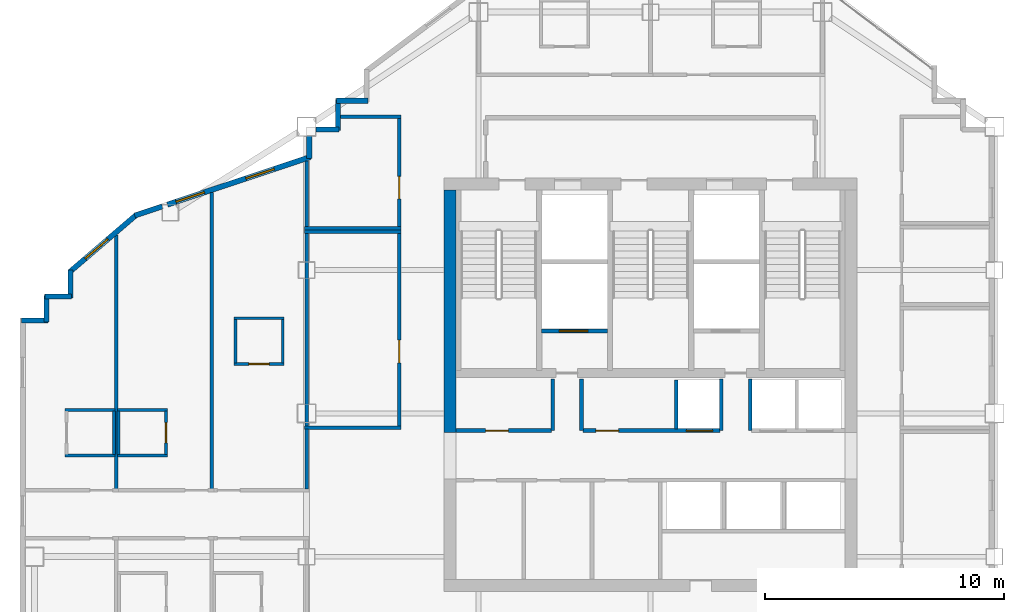
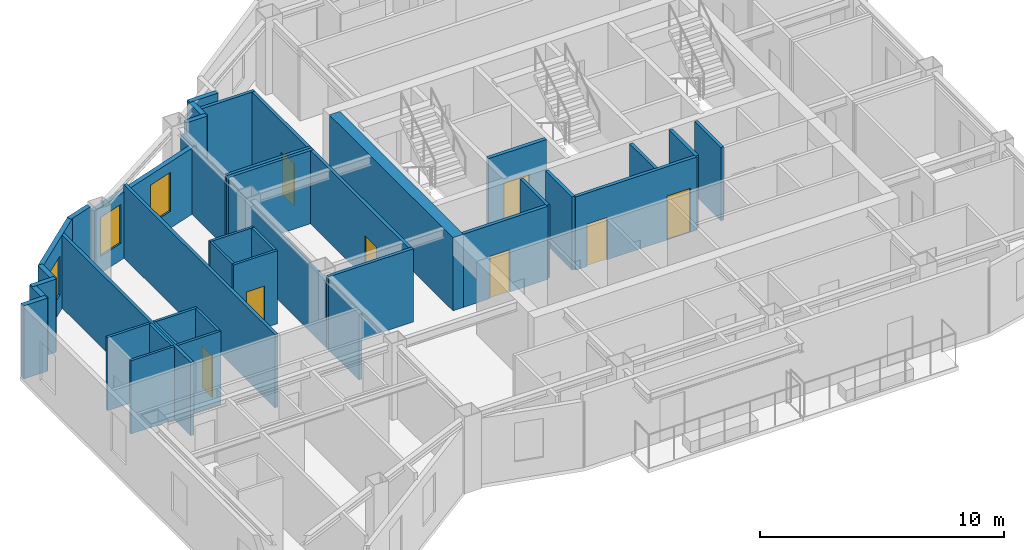
# One storey, part 6 of 11: 42 walls, 8 doors, 3 windows, 11 openings.
"""IFC4 building model written with IfcOpenShell, lengths in metres."""

from ifc_helpers import new_model, si_unit, direction, frame, frame_2d, origin, place, context, subcontext, project, spatial, rectangle, extrude, material, layer, layer_set, type_object, element, fill, save


model = new_model("IFC4")

# Units and contexts
model_context = context("Model", 3, precision=1e-05, world=origin(), true_north=direction((0.0, 1.0)))
body_context = subcontext(model_context, "Body", "Model", "MODEL_VIEW")
ifc_project = project(units=[si_unit("LENGTHUNIT", "METRE"), si_unit("AREAUNIT", "SQUARE_METRE"), si_unit("VOLUMEUNIT", "CUBIC_METRE"), si_unit("PLANEANGLEUNIT", "RADIAN"), si_unit("MASSUNIT", "GRAM", prefix="KILO")], contexts=[model_context])

# Site, building, storey
site_placement = place(None, origin())
site = spatial("IfcSite", under=ifc_project, at=site_placement, CompositionType="ELEMENT")
building_placement = place(site_placement, origin())
building = spatial("IfcBuilding", under=site, at=building_placement, Name="Haolan Belvedere Tower", CompositionType="ELEMENT")
storey_placement = place(building_placement, frame((0.0, 0.0, 250.60009765625)))
storey = spatial("IfcBuildingStorey", under=building, at=storey_placement, Name="L63", CompositionType="ELEMENT", Elevation=250.60009765625)

# Walls
ifc_material_1 = material(Name="Concrete C50/60", Category="concrete")
ifc_layer_1 = layer(ifc_material_1, 0.5, Name="Concrete C50/60")
ifc_layer_set_1 = layer_set([ifc_layer_1], Name="Concrete C50/60")
wall_type_1 = type_object("IfcWallType", Name="WL-CORE-500", PredefinedType="SHEAR", material=ifc_layer_set_1)
wall_1_placement = place(storey_placement, frame((30.0, 32.800048828125, 0.0), z_axis=(0.0, 0.0, 1.0), x_axis=(0.0, 1.0, 0.0)))
element("IfcWall", 1, at=wall_1_placement, inside=storey, type_object=wall_type_1, Name="L63 central core shear wall WN", PredefinedType="SHEAR", context=body_context, shape_type="SweptSolid", body=[
    extrude(rectangle(XDim=10.14990234375, YDim=0.5, at=frame_2d((5.074951171875, 0.0))), origin(), (0.0, 0.0, 1.0), 3.669921875),
])
ifc_material_2 = material(Name="Precast concrete C40/50", Category="concrete")
ifc_layer_2 = layer(ifc_material_2, 0.219970703125, Name="Precast concrete C40/50")
ifc_layer_set_2 = layer_set([ifc_layer_2], Name="Precast concrete C40/50")
wall_type_2 = type_object("IfcWallType", Name="WL-EXT-220", PredefinedType="SOLIDWALL", material=ifc_layer_set_2)
for number, where, z_axis, x_axis, name in (
    (2, (26.56494140625, 46.68994140625, 0.0), (0.0, 0.0, 1.0), (-1.0, 0.0, 0.0), "L63 pale-metal exterior spandrel wall 13.1"),
    (3, (25.31005859375, 46.7451171875, 0.0), (0.0, 0.0, 1.0), (0.0, -1.0, 0.0), "L63 pale-metal exterior spandrel wall 14.1"),
):
    element("IfcWall", number, at=place(storey_placement, frame(where, z_axis=z_axis, x_axis=x_axis)), inside=storey, type_object=wall_type_2, Name=name, PredefinedType="SOLIDWALL", context=body_context, shape_type="SweptSolid", body=[
        extrude(rectangle(XDim=1.31005859375, YDim=0.219970703125, at=frame_2d((0.655029296875, 0.0))), origin(), (0.0, 0.0, 1.0), 3.669921875),
    ])
wall_2_placement = place(storey_placement, frame((25.364990234375, 45.489990234375, 0.0), z_axis=(0.0, 0.0, 1.0), x_axis=(-1.0, 0.0, 0.0)))
element("IfcWall", 4, at=wall_2_placement, inside=storey, type_object=wall_type_2, Name="L63 pale-metal exterior spandrel wall 15.1", PredefinedType="SOLIDWALL", context=body_context, shape_type="SweptSolid", body=[
    extrude(rectangle(XDim=0.972900390625, YDim=0.219970703125, at=frame_2d((0.486328125, 0.0))), origin(), (0.0, 0.0, 1.0), 3.669921875),
])
wall_3_placement = place(storey_placement, frame((24.110107421875, 45.2080078125, 0.0), z_axis=(0.0, 0.0, 1.0), x_axis=(0.0, -1.0, 0.0)))
element("IfcWall", 5, at=wall_3_placement, inside=storey, type_object=wall_type_2, Name="L63 pale-metal exterior spandrel wall 16.1", PredefinedType="SOLIDWALL", context=body_context, shape_type="SweptSolid", body=[
    extrude(rectangle(XDim=0.9423828125, YDim=0.219970703125, at=frame_2d((0.47119140625, 0.0))), origin(), (0.0, 0.0, 1.0), 3.31494140625),
])

# Wall, openings, windows
wall_4_placement = place(storey_placement, frame((24.162109375, 44.338134765625, 0.0), z_axis=(0.0, 0.0, 1.0), x_axis=(-0.948687165594, -0.31621616315, 0.0)))
wall_4 = element("IfcWall", 6, at=wall_4_placement, inside=storey, type_object=wall_type_2, Name="L63 pale-metal exterior spandrel wall 17.1", PredefinedType="SOLIDWALL", context=body_context, shape_type="SweptSolid", body=[
    extrude(rectangle(XDim=6.3125, YDim=0.219970703125, at=frame_2d((3.15625, 0.0))), origin(), (0.0, 0.0, 1.0), 3.31494140625),
])
opening_1_placement = place(wall_4_placement, frame((1.60009765625, 0.0, 0.85009765625)))
opening_1 = element("IfcOpeningElement", 7, at=opening_1_placement, cuts=wall_4, Name="Opening W-04", PredefinedType="OPENING", context=body_context, shape_type="SweptSolid", body=[
    extrude(rectangle(XDim=1.25, YDim=1.949951171875, at=frame_2d((0.625, 0.97509765625))), frame((0.0, 0.119873046875, 0.0), z_axis=(0.0, -1.0, 0.0), x_axis=(1.0, 0.0, 0.0)), (0.0, 0.0, 1.0), 0.239990234375),
])
opening_2_placement = place(wall_4_placement, frame((4.68212890625, 0.0, 0.85009765625)))
opening_2 = element("IfcOpeningElement", 8, at=opening_2_placement, cuts=wall_4, Name="Opening W-04", PredefinedType="OPENING", context=body_context, shape_type="SweptSolid", body=[
    extrude(rectangle(XDim=1.25, YDim=1.949951171875, at=frame_2d((0.625, 0.97509765625))), frame((0.0, 0.119873046875, 0.0), z_axis=(0.0, -1.0, 0.0), x_axis=(1.0, 0.0, 0.0)), (0.0, 0.0, 1.0), 0.239990234375),
])
ifc_material_3 = material(Name="Anodised aluminium 6063-T6 and Low-E glass", Category="aluminium")
window_type = type_object("IfcWindowType", Name="WN-DECO-Z4", PartitioningType="SINGLE_PANEL", PredefinedType="WINDOW", material=ifc_material_3)
window_1_placement = place(opening_1_placement, origin())
window_1 = element("IfcWindow", 9, at=window_1_placement, inside=storey, type_object=window_type, Name="L63 Art Deco chevron window 1", OverallHeight=1.949951171875, OverallWidth=1.25, PartitioningType="SINGLE_PANEL", PredefinedType="WINDOW", context=body_context, shape_type="SweptSolid", body=[
    extrude(rectangle(XDim=1.25, YDim=1.949951171875, at=frame_2d((0.625, 0.97509765625))), frame((0.0, 0.030029296875, 0.0), z_axis=(0.0, -1.0, 0.0), x_axis=(1.0, 0.0, 0.0)), (0.0, 0.0, 1.0), 0.06005859375),
])
fill(opening_1, window_1)
window_2_placement = place(opening_2_placement, origin())
window_2 = element("IfcWindow", 10, at=window_2_placement, inside=storey, type_object=window_type, Name="L63 Art Deco guestroom window 1", OverallHeight=1.949951171875, OverallWidth=1.25, PartitioningType="SINGLE_PANEL", PredefinedType="WINDOW", context=body_context, shape_type="SweptSolid", body=[
    extrude(rectangle(XDim=1.25, YDim=1.949951171875, at=frame_2d((0.625, 0.97509765625))), frame((0.0, 0.030029296875, 0.0), z_axis=(0.0, -1.0, 0.0), x_axis=(1.0, 0.0, 0.0)), (0.0, 0.0, 1.0), 0.06005859375),
])
fill(opening_2, window_2)

# Wall
wall_5_placement = place(storey_placement, frame((17.9580078125, 42.27001953125, 0.0), z_axis=(0.0, 0.0, 1.0), x_axis=(-0.948683298051, -0.316227766017, 0.0)))
element("IfcWall", 11, at=wall_5_placement, inside=storey, type_object=wall_type_2, Name="L63 pale-metal exterior spandrel wall 17.2", PredefinedType="SOLIDWALL", context=body_context, shape_type="SweptSolid", body=[
    extrude(rectangle(XDim=1.217529296875, YDim=0.219970703125, at=frame_2d((0.60888671875, 0.0))), origin(), (0.0, 0.0, 1.0), 3.669921875),
])

# Wall, opening, window
wall_6_placement = place(storey_placement, frame((16.89697265625, 41.938232421875, 0.0), z_axis=(0.0, 0.0, 1.0), x_axis=(-0.759279729622, -0.650764390686, 0.0)))
wall_6 = element("IfcWall", 12, at=wall_6_placement, inside=storey, type_object=wall_type_2, Name="L63 pale-metal exterior spandrel wall 18.1", PredefinedType="SOLIDWALL", context=body_context, shape_type="SweptSolid", body=[
    extrude(rectangle(XDim=3.725830078125, YDim=0.219970703125, at=frame_2d((1.86279296875, 0.0))), origin(), (0.0, 0.0, 1.0), 3.669921875),
])
opening_3_placement = place(wall_6_placement, frame((1.60009765625, 0.0, 0.85009765625)))
opening_3 = element("IfcOpeningElement", 13, at=opening_3_placement, cuts=wall_6, Name="Opening W-04", PredefinedType="OPENING", context=body_context, shape_type="SweptSolid", body=[
    extrude(rectangle(XDim=1.25, YDim=1.949951171875, at=frame_2d((0.625, 0.97509765625))), frame((0.0, 0.119873046875, 0.0), z_axis=(0.0, -1.0, 0.0), x_axis=(1.0, 0.0, 0.0)), (0.0, 0.0, 1.0), 0.239990234375),
])
window_3_placement = place(opening_3_placement, origin())
window_3 = element("IfcWindow", 14, at=window_3_placement, inside=storey, type_object=window_type, Name="L63 Art Deco chevron window 1", OverallHeight=1.949951171875, OverallWidth=1.25, PartitioningType="SINGLE_PANEL", PredefinedType="WINDOW", context=body_context, shape_type="SweptSolid", body=[
    extrude(rectangle(XDim=1.25, YDim=1.949951171875, at=frame_2d((0.625, 0.97509765625))), frame((0.0, 0.030029296875, 0.0), z_axis=(0.0, -1.0, 0.0), x_axis=(1.0, 0.0, 0.0)), (0.0, 0.0, 1.0), 0.06005859375),
])
fill(opening_3, window_3)

# Walls
wall_7_placement = place(storey_placement, frame((14.110107421875, 39.6044921875, 0.0), z_axis=(0.0, 0.0, 1.0), x_axis=(0.0, -1.0, 0.0)))
element("IfcWall", 15, at=wall_7_placement, inside=storey, type_object=wall_type_2, Name="L63 pale-metal exterior spandrel wall 19.1", PredefinedType="SOLIDWALL", context=body_context, shape_type="SweptSolid", body=[
    extrude(rectangle(XDim=1.16943359375, YDim=0.219970703125, at=frame_2d((0.584716796875, 0.0))), origin(), (0.0, 0.0, 1.0), 3.669921875),
])
wall_8_placement = place(storey_placement, frame((14.1650390625, 38.489990234375, 0.0), z_axis=(0.0, 0.0, 1.0), x_axis=(-1.0, 0.0, 0.0)))
element("IfcWall", 16, at=wall_8_placement, inside=storey, type_object=wall_type_2, Name="L63 pale-metal exterior spandrel wall 20.1", PredefinedType="SOLIDWALL", context=body_context, shape_type="SweptSolid", body=[
    extrude(rectangle(XDim=1.110107421875, YDim=0.219970703125, at=frame_2d((0.55517578125, 0.0))), origin(), (0.0, 0.0, 1.0), 3.669921875),
])
wall_9_placement = place(storey_placement, frame((13.110107421875, 38.544921875, 0.0), z_axis=(0.0, 0.0, 1.0), x_axis=(0.0, -1.0, 0.0)))
element("IfcWall", 17, at=wall_9_placement, inside=storey, type_object=wall_type_2, Name="L63 pale-metal exterior spandrel wall 21.1", PredefinedType="SOLIDWALL", context=body_context, shape_type="SweptSolid", body=[
    extrude(rectangle(XDim=1.10986328125, YDim=0.219970703125, at=frame_2d((0.554931640625, 0.0))), origin(), (0.0, 0.0, 1.0), 3.669921875),
])
wall_10_placement = place(storey_placement, frame((13.1650390625, 37.489990234375, 0.0), z_axis=(0.0, 0.0, 1.0), x_axis=(-1.0, 0.0, 0.0)))
element("IfcWall", 18, at=wall_10_placement, inside=storey, type_object=wall_type_2, Name="L63 pale-metal exterior spandrel wall 22.1", PredefinedType="SOLIDWALL", context=body_context, shape_type="SweptSolid", body=[
    extrude(rectangle(XDim=1.110107421875, YDim=0.219970703125, at=frame_2d((0.55517578125, 0.0))), origin(), (0.0, 0.0, 1.0), 3.669921875),
])
ifc_material_4 = material(Name="Double gypsum acoustic stud partition", Category="masonry")
ifc_layer_3 = layer(ifc_material_4, 0.14990234375, Name="Double gypsum acoustic stud partition")
ifc_layer_set_3 = layer_set([ifc_layer_3], Name="Double gypsum acoustic stud partition")
wall_type_3 = type_object("IfcWallType", Name="WL-PART-150", PredefinedType="PARTITIONING", material=ifc_layer_set_3)
for number, where, z_axis, x_axis, name in (
    (19, (23.919921875, 41.199951171875, 0.0), (0.0, 0.0, 1.0), (1.0, 0.0, 0.0), "L63 interior partition IW-L63-SAL-N"),
    (20, (23.919921875, 33.0, 0.0), (0.0, 0.0, 1.0), (1.0, 0.0, 0.0), "L63 interior partition IW-L63-SAL-S"),
):
    element("IfcWall", number, at=place(storey_placement, frame(where, z_axis=z_axis, x_axis=x_axis)), inside=storey, type_object=wall_type_3, Name=name, PredefinedType="PARTITIONING", context=body_context, shape_type="SweptSolid", body=[
        extrude(rectangle(XDim=4.0400390625, YDim=0.14990234375, at=frame_2d((2.02001953125, 0.0))), origin(), (0.0, 0.0, 1.0), 3.669921875),
    ])
wall_11_placement = place(storey_placement, frame((24.0, 33.06005859375, 0.0), z_axis=(0.0, 0.0, 1.0), x_axis=(0.0, 1.0, 0.0)))
element("IfcWall", 21, at=wall_11_placement, inside=storey, type_object=wall_type_3, Name="L63 interior partition IW-L63-SAL-W", PredefinedType="PARTITIONING", context=body_context, shape_type="SweptSolid", body=[
    extrude(rectangle(XDim=8.079833984375, YDim=0.14990234375, at=frame_2d((4.0400390625, 0.0))), origin(), (0.0, 0.0, 1.0), 3.31494140625),
])

# Wall, opening, door
wall_12_placement = place(storey_placement, frame((27.8798828125, 33.06005859375, 0.0), z_axis=(0.0, 0.0, 1.0), x_axis=(0.0, 1.0, 0.0)))
wall_12 = element("IfcWall", 22, at=wall_12_placement, inside=storey, type_object=wall_type_3, Name="L63 interior partition IW-L63-SAL-E", PredefinedType="PARTITIONING", context=body_context, shape_type="SweptSolid", body=[
    extrude(rectangle(XDim=8.079833984375, YDim=0.14990234375, at=frame_2d((4.0400390625, 0.0))), origin(), (0.0, 0.0, 1.0), 3.669921875),
])
opening_4_placement = place(wall_12_placement, frame((3.60986328125, 0.0, 0.0), z_axis=(0.0, 0.0, 1.0), x_axis=(-1.0, 0.0, 0.0)))
opening_4 = element("IfcOpeningElement", 23, at=opening_4_placement, cuts=wall_12, Name="Opening ID-03", PredefinedType="OPENING", context=body_context, shape_type="SweptSolid", body=[
    extrude(rectangle(XDim=0.949951171875, YDim=2.1201171875, at=frame_2d((0.47509765625, 1.06005859375))), frame((0.0, 0.0849609375, 0.0), z_axis=(0.0, -1.0, 0.0), x_axis=(1.0, 0.0, 0.0)), (0.0, 0.0, 1.0), 0.169921875),
])
ifc_material_5 = material(Name="Painted solid-core timber", Category="wood")
door_type_1 = type_object("IfcDoorType", Name="DR-INT-950", OperationType="NOTDEFINED", PredefinedType="DOOR", material=ifc_material_5)
door_1_placement = place(opening_4_placement, origin())
door_1 = element("IfcDoor", 24, at=door_1_placement, inside=storey, type_object=door_type_1, Name="L63 door ID-L63-SAL", OperationType="SINGLE_SWING_LEFT", OverallHeight=2.1201171875, OverallWidth=0.949951171875, PredefinedType="DOOR", context=body_context, shape_type="SweptSolid", body=[
    extrude(rectangle(XDim=0.949951171875, YDim=2.1201171875, at=frame_2d((0.47509765625, 1.06005859375))), frame((0.0, 0.02490234375, 0.0), z_axis=(0.0, -1.0, 0.0), x_axis=(1.0, 0.0, 0.0)), (0.0, 0.0, 1.0), 0.050048828125),
])
fill(opening_4, door_1)

# Walls
wall_13_placement = place(storey_placement, frame((25.412109375, 46.02001953125, 0.0), z_axis=(0.0, 0.0, 1.0), x_axis=(1.0, 0.0, 0.0)))
element("IfcWall", 25, at=wall_13_placement, inside=storey, type_object=wall_type_3, Name="L63 interior partition IW-L63-HSK-N", PredefinedType="PARTITIONING", context=body_context, shape_type="SweptSolid", body=[
    extrude(rectangle(XDim=2.5478515625, YDim=0.14990234375, at=frame_2d((1.27392578125, 0.0))), origin(), (0.0, 0.0, 1.0), 3.669921875),
])
wall_14_placement = place(storey_placement, frame((23.919921875, 41.360107421875, 0.0), z_axis=(0.0, 0.0, 1.0), x_axis=(1.0, 0.0, 0.0)))
element("IfcWall", 26, at=wall_14_placement, inside=storey, type_object=wall_type_3, Name="L63 interior partition IW-L63-HSK-S", PredefinedType="PARTITIONING", context=body_context, shape_type="SweptSolid", body=[
    extrude(rectangle(XDim=4.0400390625, YDim=0.14990234375, at=frame_2d((2.02001953125, 0.0))), origin(), (0.0, 0.0, 1.0), 3.669921875),
])
wall_15_placement = place(storey_placement, frame((24.0, 41.419921875, 0.0), z_axis=(0.0, 0.0, 1.0), x_axis=(0.0, 1.0, 0.0)))
element("IfcWall", 27, at=wall_15_placement, inside=storey, type_object=wall_type_3, Name="L63 interior partition IW-L63-HSK-W", PredefinedType="PARTITIONING", context=body_context, shape_type="SweptSolid", body=[
    extrude(rectangle(XDim=2.756591796875, YDim=0.14990234375, at=frame_2d((1.37841796875, 0.0))), origin(), (0.0, 0.0, 1.0), 3.31494140625),
])

# Wall, opening, door
wall_16_placement = place(storey_placement, frame((27.8798828125, 41.419921875, 0.0), z_axis=(0.0, 0.0, 1.0), x_axis=(0.0, 1.0, 0.0)))
wall_16 = element("IfcWall", 28, at=wall_16_placement, inside=storey, type_object=wall_type_3, Name="L63 interior partition IW-L63-HSK-E", PredefinedType="PARTITIONING", context=body_context, shape_type="SweptSolid", body=[
    extrude(rectangle(XDim=4.5400390625, YDim=0.14990234375, at=frame_2d((2.27001953125, 0.0))), origin(), (0.0, 0.0, 1.0), 3.669921875),
])
opening_5_placement = place(wall_16_placement, frame((2.10986328125, 0.0, 0.0), z_axis=(0.0, 0.0, 1.0), x_axis=(-1.0, 0.0, 0.0)))
opening_5 = element("IfcOpeningElement", 29, at=opening_5_placement, cuts=wall_16, Name="Opening ID-03", PredefinedType="OPENING", context=body_context, shape_type="SweptSolid", body=[
    extrude(rectangle(XDim=0.949951171875, YDim=2.1201171875, at=frame_2d((0.47509765625, 1.06005859375))), frame((0.0, 0.0849609375, 0.0), z_axis=(0.0, -1.0, 0.0), x_axis=(1.0, 0.0, 0.0)), (0.0, 0.0, 1.0), 0.169921875),
])
door_2_placement = place(opening_5_placement, origin())
door_2 = element("IfcDoor", 30, at=door_2_placement, inside=storey, type_object=door_type_1, Name="L63 door ID-L63-HSK", OperationType="SINGLE_SWING_RIGHT", OverallHeight=2.1201171875, OverallWidth=0.949951171875, PredefinedType="DOOR", context=body_context, shape_type="SweptSolid", body=[
    extrude(rectangle(XDim=0.949951171875, YDim=2.1201171875, at=frame_2d((0.47509765625, 1.06005859375))), frame((0.0, 0.02490234375, 0.0), z_axis=(0.0, -1.0, 0.0), x_axis=(1.0, 0.0, 0.0)), (0.0, 0.0, 1.0), 0.050048828125),
])
fill(opening_5, door_2)

# Walls
wall_17_placement = place(storey_placement, frame((16.030029296875, 30.43994140625, 0.0), z_axis=(0.0, 0.0, 1.0), x_axis=(0.0, 1.0, 0.0)))
element("IfcWall", 31, at=wall_17_placement, inside=storey, type_object=wall_type_3, Name="L63 interior partition IW-L63-T2N1-E", PredefinedType="PARTITIONING", context=body_context, shape_type="SweptSolid", body=[
    extrude(rectangle(XDim=10.620849609375, YDim=0.14990234375, at=frame_2d((5.310546875, 0.0))), origin(), (0.0, 0.0, 1.0), 3.669921875),
])
wall_18_placement = place(storey_placement, frame((20.02001953125, 30.43994140625, 0.0), z_axis=(0.0, 0.0, 1.0), x_axis=(0.0, 1.0, 0.0)))
element("IfcWall", 32, at=wall_18_placement, inside=storey, type_object=wall_type_3, Name="L63 interior partition IW-L63-T2N2-E", PredefinedType="PARTITIONING", context=body_context, shape_type="SweptSolid", body=[
    extrude(rectangle(XDim=12.409912109375, YDim=0.14990234375, at=frame_2d((6.205078125, 0.0))), origin(), (0.0, 0.0, 1.0), 3.669921875),
])
wall_19_placement = place(storey_placement, frame((24.0, 30.43994140625, 0.0), z_axis=(0.0, 0.0, 1.0), x_axis=(0.0, 1.0, 0.0)))
element("IfcWall", 33, at=wall_19_placement, inside=storey, type_object=wall_type_3, Name="L63 interior partition IW-L63-T2N3-E", PredefinedType="PARTITIONING", context=body_context, shape_type="SweptSolid", body=[
    extrude(rectangle(XDim=2.5, YDim=0.14990234375, at=frame_2d((1.25, 0.0))), origin(), (0.0, 0.0, 1.0), 3.31494140625),
])
ifc_material_6 = material(Name="Gypsum fire shaftwall assembly", Category="masonry")
ifc_layer_4 = layer(ifc_material_6, 0.1650390625, Name="Gypsum fire shaftwall assembly")
ifc_layer_set_4 = layer_set([ifc_layer_4], Name="Gypsum fire shaftwall assembly")
wall_type_4 = type_object("IfcWallType", Name="WL-SHAFT-160", PredefinedType="SOLIDWALL", material=ifc_layer_set_4)
for number, where, z_axis, x_axis, name in (
    (34, (34.31005859375, 32.8798828125, 0.0), (0.0, 0.0, 1.0), (0.0, 1.0, 0.0), "L63 interior partition IW-L63-SVP-W-SV1"),
    (35, (35.510009765625, 32.8798828125, 0.0), (0.0, 0.0, 1.0), (0.0, 1.0, 0.0), "L63 interior partition IW-L63-SVP-E-SV1"),
    (36, (41.3701171875, 32.8798828125, 0.0), (0.0, 0.0, 1.0), (0.0, 1.0, 0.0), "L63 interior partition IW-L63-SVP-W-SV2"),
    (37, (42.570068359375, 32.8798828125, 0.0), (0.0, 0.0, 1.0), (0.0, 1.0, 0.0), "L63 interior partition IW-L63-SVP-E-SV2"),
):
    element("IfcWall", number, at=place(storey_placement, frame(where, z_axis=z_axis, x_axis=x_axis)), inside=storey, type_object=wall_type_4, Name=name, PredefinedType="SOLIDWALL", context=body_context, shape_type="SweptSolid", body=[
        extrude(rectangle(XDim=2.170166015625, YDim=0.14990234375, at=frame_2d((1.0849609375, 0.0))), origin(), (0.0, 0.0, 1.0), 3.669921875),
    ])

# Wall, opening, door
wall_20_placement = place(storey_placement, frame((30.25, 32.8798828125, 0.0), z_axis=(0.0, 0.0, 1.0), x_axis=(1.0, 0.0, 0.0)))
wall_20 = element("IfcWall", 38, at=wall_20_placement, inside=storey, type_object=wall_type_4, Name="L63 interior partition IW-L63-ROW-PN1", PredefinedType="SOLIDWALL", context=body_context, shape_type="SweptSolid", body=[
    extrude(rectangle(XDim=4.0, YDim=0.159912109375, at=frame_2d((2.0, 0.0))), origin(), (0.0, 0.0, 1.0), 3.669921875),
])
opening_6_placement = place(wall_20_placement, frame((2.199951171875, 0.0, 0.0), z_axis=(0.0, 0.0, 1.0), x_axis=(-1.0, 0.0, 0.0)))
opening_6 = element("IfcOpeningElement", 39, at=opening_6_placement, cuts=wall_20, Name="Opening ID-03", PredefinedType="OPENING", context=body_context, shape_type="SweptSolid", body=[
    extrude(rectangle(XDim=0.949951171875, YDim=2.1201171875, at=frame_2d((0.47509765625, 1.06005859375))), frame((0.0, 0.08984375, 0.0), z_axis=(0.0, -1.0, 0.0), x_axis=(1.0, 0.0, 0.0)), (0.0, 0.0, 1.0), 0.179931640625),
])
door_3_placement = place(opening_6_placement, origin())
door_3 = element("IfcDoor", 40, at=door_3_placement, inside=storey, type_object=door_type_1, Name="L63 door ID-L63-CD-RPLW", OperationType="SINGLE_SWING_LEFT", OverallHeight=2.1201171875, OverallWidth=0.949951171875, PredefinedType="DOOR", context=body_context, shape_type="SweptSolid", body=[
    extrude(rectangle(XDim=0.949951171875, YDim=2.1201171875, at=frame_2d((0.47509765625, 1.06005859375))), frame((0.0, 0.02490234375, 0.0), z_axis=(0.0, -1.0, 0.0), x_axis=(1.0, 0.0, 0.0)), (0.0, 0.0, 1.0), 0.050048828125),
])
fill(opening_6, door_3)

# Wall, openings, doors
wall_21_placement = place(storey_placement, frame((35.570068359375, 32.8798828125, 0.0), z_axis=(0.0, 0.0, 1.0), x_axis=(1.0, 0.0, 0.0)))
wall_21 = element("IfcWall", 41, at=wall_21_placement, inside=storey, type_object=wall_type_4, Name="L63 interior partition IW-L63-ROW-PN2", PredefinedType="SOLIDWALL", context=body_context, shape_type="SweptSolid", body=[
    extrude(rectangle(XDim=5.739990234375, YDim=0.159912109375, at=frame_2d((2.8701171875, 0.0))), origin(), (0.0, 0.0, 1.0), 3.669921875),
])
opening_7_placement = place(wall_21_placement, frame((1.489990234375, 0.0, 0.0), z_axis=(0.0, 0.0, 1.0), x_axis=(-1.0, 0.0, 0.0)))
opening_7 = element("IfcOpeningElement", 42, at=opening_7_placement, cuts=wall_21, Name="Opening ID-03", PredefinedType="OPENING", context=body_context, shape_type="SweptSolid", body=[
    extrude(rectangle(XDim=0.949951171875, YDim=2.1201171875, at=frame_2d((0.47509765625, 1.06005859375))), frame((0.0, 0.08984375, 0.0), z_axis=(0.0, -1.0, 0.0), x_axis=(1.0, 0.0, 0.0)), (0.0, 0.0, 1.0), 0.179931640625),
])
opening_8_placement = place(wall_21_placement, frame((5.43017578125, 0.0, 0.0), z_axis=(0.0, 0.0, 1.0), x_axis=(-1.0, 0.0, 0.0)))
opening_8 = element("IfcOpeningElement", 43, at=opening_8_placement, cuts=wall_21, Name="Opening LD-01", PredefinedType="OPENING", context=body_context, shape_type="SweptSolid", body=[
    extrude(rectangle(XDim=1.10009765625, YDim=2.199951171875, at=frame_2d((0.550048828125, 1.10009765625))), frame((0.0, 0.08984375, 0.0), z_axis=(0.0, -1.0, 0.0), x_axis=(1.0, 0.0, 0.0)), (0.0, 0.0, 1.0), 0.179931640625),
])
door_4_placement = place(opening_7_placement, origin())
door_4 = element("IfcDoor", 44, at=door_4_placement, inside=storey, type_object=door_type_1, Name="L63 door ID-L63-CD-RPLE", OperationType="SINGLE_SWING_RIGHT", OverallHeight=2.1201171875, OverallWidth=0.949951171875, PredefinedType="DOOR", context=body_context, shape_type="SweptSolid", body=[
    extrude(rectangle(XDim=0.949951171875, YDim=2.1201171875, at=frame_2d((0.47509765625, 1.06005859375))), frame((0.0, 0.02490234375, 0.0), z_axis=(0.0, -1.0, 0.0), x_axis=(1.0, 0.0, 0.0)), (0.0, 0.0, 1.0), 0.050048828125),
])
fill(opening_7, door_4)
ifc_material_7 = material(Name="Brushed champagne stainless steel 316L", Category="steel")
door_type_2 = type_object("IfcDoorType", Name="DR-LIFT-1100", OperationType="SLIDING_TO_LEFT", PredefinedType="DOOR", material=ifc_material_7)
door_5_placement = place(opening_8_placement, origin())
door_5 = element("IfcDoor", 45, at=door_5_placement, inside=storey, type_object=door_type_2, Name="L63 door ID-L63-LD-PH1", OperationType="SLIDING_TO_RIGHT", OverallHeight=2.199951171875, OverallWidth=1.10009765625, PredefinedType="DOOR", context=body_context, shape_type="SweptSolid", body=[
    extrude(rectangle(XDim=1.10009765625, YDim=2.199951171875, at=frame_2d((0.550048828125, 1.10009765625))), frame((0.0, 0.02490234375, 0.0), z_axis=(0.0, -1.0, 0.0), x_axis=(1.0, 0.0, 0.0)), (0.0, 0.0, 1.0), 0.050048828125),
])
fill(opening_8, door_5)

# Wall
wall_22_placement = place(storey_placement, frame((39.469970703125, 32.949951171875, 0.0), z_axis=(0.0, 0.0, 1.0), x_axis=(0.0, 1.0, 0.0)))
element("IfcWall", 46, at=wall_22_placement, inside=storey, type_object=wall_type_4, Name="L63 interior partition IW-L63-DIV-PL4R", PredefinedType="SOLIDWALL", context=body_context, shape_type="SweptSolid", body=[
    extrude(rectangle(XDim=2.050048828125, YDim=0.14990234375, at=frame_2d((1.02490234375, 0.0))), origin(), (0.0, 0.0, 1.0), 3.669921875),
])

# Wall, opening, door
ifc_layer_5 = layer(ifc_material_2, 0.179931640625, Name="Precast concrete C40/50")
ifc_layer_set_5 = layer_set([ifc_layer_5], Name="Precast concrete C40/50")
wall_type_5 = type_object("IfcWallType", Name="WL-SHAFT-180", PredefinedType="SOLIDWALL", material=ifc_layer_set_5)
wall_23_placement = place(storey_placement, frame((33.8349609375, 37.050048828125, 0.0), z_axis=(0.0, 0.0, 1.0), x_axis=(1.0, 0.0, 0.0)))
wall_23 = element("IfcWall", 47, at=wall_23_placement, inside=storey, type_object=wall_type_5, Name="L63 interior partition IW-L63-SV1-S", PredefinedType="SOLIDWALL", context=body_context, shape_type="SweptSolid", body=[
    extrude(rectangle(XDim=2.77001953125, YDim=0.179931640625, at=frame_2d((1.385009765625, 0.0))), origin(), (0.0, 0.0, 1.0), 3.669921875),
])
opening_9_placement = place(wall_23_placement, frame((1.945068359375, 0.0, 0.0), z_axis=(0.0, 0.0, 1.0), x_axis=(-1.0, 0.0, 0.0)))
opening_9 = element("IfcOpeningElement", 48, at=opening_9_placement, cuts=wall_23, Name="Opening LD-02", PredefinedType="OPENING", context=body_context, shape_type="SweptSolid", body=[
    extrude(rectangle(XDim=1.199951171875, YDim=2.199951171875, at=frame_2d((0.60009765625, 1.10009765625))), frame((0.0, 0.099853515625, 0.0), z_axis=(0.0, -1.0, 0.0), x_axis=(1.0, 0.0, 0.0)), (0.0, 0.0, 1.0), 0.199951171875),
])
door_type_3 = type_object("IfcDoorType", Name="DR-LIFT-1200", OperationType="SLIDING_TO_RIGHT", PredefinedType="DOOR", material=ifc_material_7)
door_6_placement = place(opening_9_placement, origin())
door_6 = element("IfcDoor", 49, at=door_6_placement, inside=storey, type_object=door_type_3, Name="L63 door ID-L63-LD-SV1", OperationType="SLIDING_TO_RIGHT", OverallHeight=2.199951171875, OverallWidth=1.199951171875, PredefinedType="DOOR", context=body_context, shape_type="SweptSolid", body=[
    extrude(rectangle(XDim=1.199951171875, YDim=2.199951171875, at=frame_2d((0.60009765625, 1.10009765625))), frame((0.0, 0.02490234375, 0.0), z_axis=(0.0, -1.0, 0.0), x_axis=(1.0, 0.0, 0.0)), (0.0, 0.0, 1.0), 0.050048828125),
])
fill(opening_9, door_6)

# Walls
ifc_material_8 = material(Name="Moisture-resistant gypsum tile partition", Category="masonry")
ifc_layer_6 = layer(ifc_material_8, 0.1201171875, Name="Moisture-resistant gypsum tile partition")
ifc_layer_set_6 = layer_set([ifc_layer_6], Name="Moisture-resistant gypsum tile partition")
wall_type_6 = type_object("IfcWallType", Name="WL-WET-120", PredefinedType="PARTITIONING", material=ifc_layer_set_6)
for number, where, z_axis, x_axis, name in (
    (50, (13.889892578125, 33.75, 0.0), (0.0, 0.0, 1.0), (1.0, 0.0, 0.0), "L63 interior partition IW-L63-T2N1-BN"),
    (51, (13.889892578125, 31.830078125, 0.0), (0.0, 0.0, 1.0), (1.0, 0.0, 0.0), "L63 interior partition IW-L63-T2N1-BS"),
):
    element("IfcWall", number, at=place(storey_placement, frame(where, z_axis=z_axis, x_axis=x_axis)), inside=storey, type_object=wall_type_6, Name=name, PredefinedType="PARTITIONING", context=body_context, shape_type="SweptSolid", body=[
        extrude(rectangle(XDim=2.080078125, YDim=0.1201171875, at=frame_2d((1.0400390625, 0.0))), origin(), (0.0, 0.0, 1.0), 3.669921875),
    ])
wall_24_placement = place(storey_placement, frame((15.929931640625, 31.875, 0.0), z_axis=(0.0, 0.0, 1.0), x_axis=(0.0, 1.0, 0.0)))
element("IfcWall", 52, at=wall_24_placement, inside=storey, type_object=wall_type_6, Name="L63 interior partition IW-L63-T2N1-BE", PredefinedType="PARTITIONING", context=body_context, shape_type="SweptSolid", body=[
    extrude(rectangle(XDim=1.830078125, YDim=0.1201171875, at=frame_2d((0.9150390625, 0.0))), origin(), (0.0, 0.0, 1.0), 3.669921875),
])
for number, where, z_axis, x_axis, name in (
    (53, (16.090087890625, 33.75, 0.0), (0.0, 0.0, 1.0), (1.0, 0.0, 0.0), "L63 interior partition IW-L63-T2N2-BN"),
    (54, (16.090087890625, 31.830078125, 0.0), (0.0, 0.0, 1.0), (1.0, 0.0, 0.0), "L63 interior partition IW-L63-T2N2-BS"),
):
    element("IfcWall", number, at=place(storey_placement, frame(where, z_axis=z_axis, x_axis=x_axis)), inside=storey, type_object=wall_type_6, Name=name, PredefinedType="PARTITIONING", context=body_context, shape_type="SweptSolid", body=[
        extrude(rectangle(XDim=2.079833984375, YDim=0.1201171875, at=frame_2d((1.0400390625, 0.0))), origin(), (0.0, 0.0, 1.0), 3.669921875),
    ])
wall_25_placement = place(storey_placement, frame((16.1298828125, 31.875, 0.0), z_axis=(0.0, 0.0, 1.0), x_axis=(0.0, 1.0, 0.0)))
element("IfcWall", 55, at=wall_25_placement, inside=storey, type_object=wall_type_6, Name="L63 interior partition IW-L63-T2N2-BW", PredefinedType="PARTITIONING", context=body_context, shape_type="SweptSolid", body=[
    extrude(rectangle(XDim=1.830078125, YDim=0.1201171875, at=frame_2d((0.9150390625, 0.0))), origin(), (0.0, 0.0, 1.0), 3.669921875),
])

# Wall, opening, door
wall_26_placement = place(storey_placement, frame((18.110107421875, 31.875, 0.0), z_axis=(0.0, 0.0, 1.0), x_axis=(0.0, 1.0, 0.0)))
wall_26 = element("IfcWall", 56, at=wall_26_placement, inside=storey, type_object=wall_type_6, Name="L63 interior partition IW-L63-T2N2-BE", PredefinedType="PARTITIONING", context=body_context, shape_type="SweptSolid", body=[
    extrude(rectangle(XDim=1.830078125, YDim=0.1201171875, at=frame_2d((0.9150390625, 0.0))), origin(), (0.0, 0.0, 1.0), 3.669921875),
])
opening_10_placement = place(wall_26_placement, frame((0.489990234375, 0.0, 0.0)))
opening_10 = element("IfcOpeningElement", 57, at=opening_10_placement, cuts=wall_26, Name="Opening ID-05", PredefinedType="OPENING", context=body_context, shape_type="SweptSolid", body=[
    extrude(rectangle(XDim=0.85009765625, YDim=2.10009765625, at=frame_2d((0.425048828125, 1.050048828125))), frame((0.0, 0.070068359375, 0.0), z_axis=(0.0, -1.0, 0.0), x_axis=(1.0, 0.0, 0.0)), (0.0, 0.0, 1.0), 0.14013671875),
])
ifc_material_9 = material(Name="Moisture-resistant lacquered timber", Category="wood")
door_type_4 = type_object("IfcDoorType", Name="DR-BATH-850", OperationType="NOTDEFINED", PredefinedType="DOOR", material=ifc_material_9)
door_7_placement = place(opening_10_placement, origin())
door_7 = element("IfcDoor", 58, at=door_7_placement, inside=storey, type_object=door_type_4, Name="L63 door ID-L63-T2N2-BATH", OperationType="SINGLE_SWING_RIGHT", OverallHeight=2.10009765625, OverallWidth=0.85009765625, PredefinedType="DOOR", context=body_context, shape_type="SweptSolid", body=[
    extrude(rectangle(XDim=0.85009765625, YDim=2.10009765625, at=frame_2d((0.425048828125, 1.050048828125))), frame((0.0, 0.02490234375, 0.0), z_axis=(0.0, -1.0, 0.0), x_axis=(1.0, 0.0, 0.0)), (0.0, 0.0, 1.0), 0.050048828125),
])
fill(opening_10, door_7)

# Wall
wall_27_placement = place(storey_placement, frame((20.9599609375, 37.5849609375, 0.0), z_axis=(0.0, 0.0, 1.0), x_axis=(1.0, 0.0, 0.0)))
element("IfcWall", 59, at=wall_27_placement, inside=storey, type_object=wall_type_6, Name="L63 interior partition IW-L63-T2N3-BN", PredefinedType="PARTITIONING", context=body_context, shape_type="SweptSolid", body=[
    extrude(rectangle(XDim=2.10009765625, YDim=0.1201171875, at=frame_2d((1.050048828125, 0.0))), origin(), (0.0, 0.0, 1.0), 3.669921875),
])

# Wall, opening, door
wall_28_placement = place(storey_placement, frame((20.9599609375, 35.6650390625, 0.0), z_axis=(0.0, 0.0, 1.0), x_axis=(1.0, 0.0, 0.0)))
wall_28 = element("IfcWall", 60, at=wall_28_placement, inside=storey, type_object=wall_type_6, Name="L63 interior partition IW-L63-T2N3-BS", PredefinedType="PARTITIONING", context=body_context, shape_type="SweptSolid", body=[
    extrude(rectangle(XDim=2.10009765625, YDim=0.1201171875, at=frame_2d((1.050048828125, 0.0))), origin(), (0.0, 0.0, 1.0), 3.669921875),
])
opening_11_placement = place(wall_28_placement, frame((0.625, 0.0, 0.0)))
opening_11 = element("IfcOpeningElement", 61, at=opening_11_placement, cuts=wall_28, Name="Opening ID-05", PredefinedType="OPENING", context=body_context, shape_type="SweptSolid", body=[
    extrude(rectangle(XDim=0.85009765625, YDim=2.10009765625, at=frame_2d((0.425048828125, 1.050048828125))), frame((0.0, 0.070068359375, 0.0), z_axis=(0.0, -1.0, 0.0), x_axis=(1.0, 0.0, 0.0)), (0.0, 0.0, 1.0), 0.14013671875),
])
door_8_placement = place(opening_11_placement, origin())
door_8 = element("IfcDoor", 62, at=door_8_placement, inside=storey, type_object=door_type_4, Name="L63 door ID-L63-T2N3-BATH", OperationType="SINGLE_SWING_LEFT", OverallHeight=2.10009765625, OverallWidth=0.85009765625, PredefinedType="DOOR", context=body_context, shape_type="SweptSolid", body=[
    extrude(rectangle(XDim=0.85009765625, YDim=2.10009765625, at=frame_2d((0.425048828125, 1.050048828125))), frame((0.0, 0.02490234375, 0.0), z_axis=(0.0, -1.0, 0.0), x_axis=(1.0, 0.0, 0.0)), (0.0, 0.0, 1.0), 0.050048828125),
])
fill(opening_11, door_8)

# Walls
for number, where, z_axis, x_axis, name in (
    (63, (21.02001953125, 35.7099609375, 0.0), (0.0, 0.0, 1.0), (0.0, 1.0, 0.0), "L63 interior partition IW-L63-T2N3-BW"),
    (64, (23.0, 35.7099609375, 0.0), (0.0, 0.0, 1.0), (0.0, 1.0, 0.0), "L63 interior partition IW-L63-T2N3-BE"),
):
    element("IfcWall", number, at=place(storey_placement, frame(where, z_axis=z_axis, x_axis=x_axis)), inside=storey, type_object=wall_type_6, Name=name, PredefinedType="PARTITIONING", context=body_context, shape_type="SweptSolid", body=[
        extrude(rectangle(XDim=1.830078125, YDim=0.1201171875, at=frame_2d((0.9150390625, 0.0))), origin(), (0.0, 0.0, 1.0), 3.669921875),
    ])

save(model, "model.ifc")
